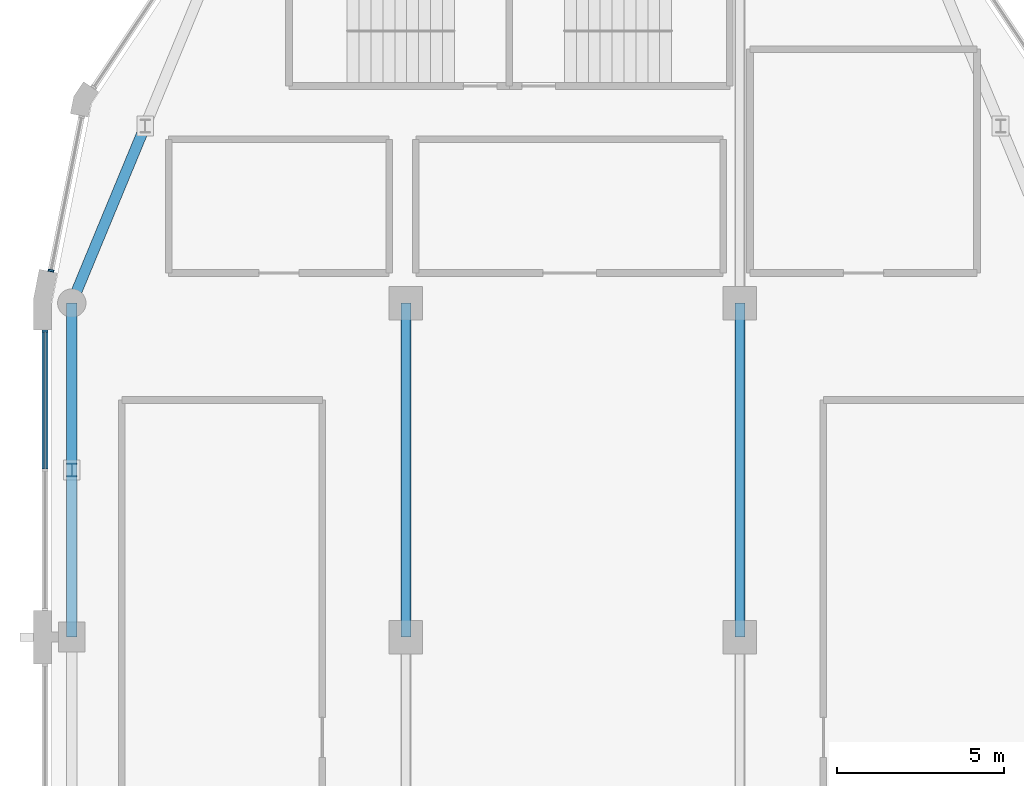
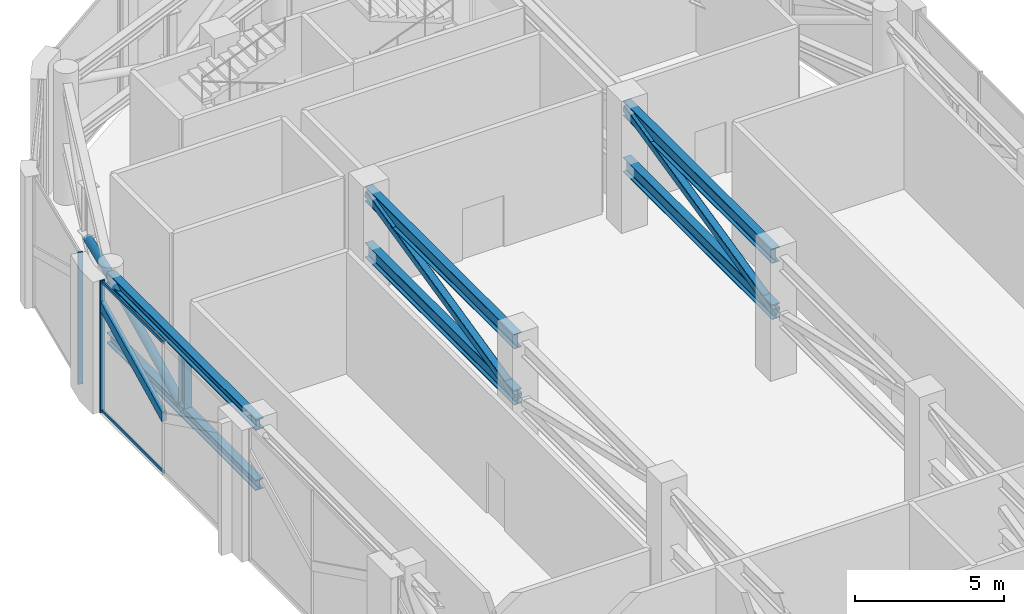
# One storey, part 8 of 18: 16 members, 2 elements without a shape of their own.
"""IFC4 building model written with IfcOpenShell, lengths in metres."""

from ifc_helpers import new_model, si_unit, direction, frame, origin, origin_2d, place, context, subcontext, project, spatial, polyline, rectangle, hollow_rectangle, hollow_circle, i_section, outline, extrude, material, layer, layer_set, material_profile, profile_set, type_object, element, aggregate, save


model = new_model("IFC4")

# Units and contexts
model_context = context("Model", 3, precision=1e-05, world=origin(), true_north=direction((0.0, 1.0)))
body_context = subcontext(model_context, "Body", "Model", "MODEL_VIEW")
ifc_project = project(units=[si_unit("LENGTHUNIT", "METRE"), si_unit("AREAUNIT", "SQUARE_METRE"), si_unit("VOLUMEUNIT", "CUBIC_METRE"), si_unit("PLANEANGLEUNIT", "RADIAN"), si_unit("MASSUNIT", "GRAM", prefix="KILO")], contexts=[model_context])

# Site, building, storey
site_placement = place(None, origin())
site = spatial("IfcSite", under=ifc_project, at=site_placement, CompositionType="ELEMENT")
building_placement = place(site_placement, origin())
building = spatial("IfcBuilding", under=site, at=building_placement, Name="Qaws Garden Tower", CompositionType="ELEMENT")
storey_placement = place(building_placement, frame((0.0, 0.0, 352.800048828125)))
storey = spatial("IfcBuildingStorey", under=building, at=storey_placement, Name="L86", CompositionType="ELEMENT", Elevation=352.800048828125)

# Members
ifc_material_1 = material(Name="Steel S355", Category="steel")
ifc_material_profile_1 = material_profile(ifc_material_1, i_section(OverallWidth=0.306884765625, OverallDepth=0.431884765625, WebThickness=0.02099609375, FlangeThickness=0.0400390625, FilletRadius=0.027099609375, at=origin_2d()), Name="HEM 400")
ifc_profile_set_1 = profile_set([ifc_material_profile_1], Name="Steel S355")
member_type_1 = type_object("IfcMemberType", Name="Belt chord HEM 400", PredefinedType="CHORD", material=ifc_profile_set_1)
for number, where, z_axis, x_axis, name in (
    (1, (0.0, 60.0, 4.783935546875), (0.0, -1.0, 0.0), (1.0, 0.0, 0.0), "Belt truss top chord 14"),
    (2, (0.0, 60.0, 2.31591796875), (0.0, -1.0, 0.0), (1.0, 0.0, 0.0), "Belt truss bottom chord 14"),
):
    element("IfcMember", number, at=place(storey_placement, frame(where, z_axis=z_axis, x_axis=x_axis)), inside=storey, type_object=member_type_1, Name=name, PredefinedType="CHORD", context=body_context, shape_type="SweptSolid", body=[
        extrude(i_section(OverallWidth=0.306884765625, OverallDepth=0.431884765625, WebThickness=0.02099609375, FlangeThickness=0.0400390625, FilletRadius=0.027099609375, at=origin_2d()), origin(), (0.0, 0.0, 1.0), 10.0),
    ])
ifc_material_2 = material(Name="Steel S355", Category="steel")
ifc_material_profile_2 = material_profile(ifc_material_2, hollow_circle(Radius=0.161865234375, WallThickness=0.01611328125, at=origin_2d()), Name="CHS 323.9x16")
ifc_profile_set_2 = profile_set([ifc_material_profile_2], Name="Steel S355")
member_type_2 = type_object("IfcMemberType", Name="Belt diagonal CHS 323.9x16", PredefinedType="BRACE", material=ifc_profile_set_2)
member_1_placement = place(storey_placement, frame((2.19677734375, 65.30322265625, 2.31591796875), z_axis=(-0.351580639119, -0.848748015441, 0.394990962531), x_axis=(0.923872720536, -0.382699877515, 0.0)))
element("IfcMember", 3, at=member_1_placement, inside=storey, type_object=member_type_2, Name="Belt truss diagonal 13b", PredefinedType="BRACE", context=body_context, shape_type="SweptSolid", body=[
    extrude(hollow_circle(Radius=0.161865234375, WallThickness=0.01611328125, at=origin_2d()), origin(), (0.0, 0.0, 1.0), 6.248291015625),
])
member_2_placement = place(storey_placement, frame((0.0, 60.0, 4.783935546875), z_axis=(0.0, -0.896709736444, -0.442619078404), x_axis=(1.0, 0.0, 0.0)))
element("IfcMember", 4, at=member_2_placement, inside=storey, type_object=member_type_2, Name="Belt truss diagonal 14a", PredefinedType="BRACE", context=body_context, shape_type="SweptSolid", body=[
    extrude(hollow_circle(Radius=0.161865234375, WallThickness=0.01611328125, at=origin_2d()), origin(), (0.0, 0.0, 1.0), 5.575927734375),
])
ifc_material_3 = material(Name="Steel S355", Category="steel")
ifc_material_profile_3 = material_profile(ifc_material_3, i_section(OverallWidth=0.300048828125, OverallDepth=0.39990234375, WebThickness=0.013427734375, FlangeThickness=0.02392578125, FilletRadius=0.027099609375, at=origin_2d()), Name="HEB 400")
ifc_profile_set_3 = profile_set([ifc_material_profile_3], Name="Steel S355")
member_type_3 = type_object("IfcMemberType", Name="Belt post HEB 400", PredefinedType="POST", material=ifc_profile_set_3)
member_3_placement = place(storey_placement, frame((0.0, 55.0, 2.531982421875), z_axis=(0.0, 0.0, 1.0), x_axis=(1.0, 0.0, 0.0)))
element("IfcMember", 5, at=member_3_placement, inside=storey, type_object=member_type_3, Name="Belt truss post 14", PredefinedType="POST", context=body_context, shape_type="SweptSolid", body=[
    extrude(i_section(OverallWidth=0.300048828125, OverallDepth=0.39990234375, WebThickness=0.013427734375, FlangeThickness=0.02392578125, FilletRadius=0.027099609375, at=origin_2d()), origin(), (0.0, 0.0, 1.0), 2.035888671875),
])

# Curtain wall, member
ifc_material_4 = material(Name="Anodised aluminium curtain wall frame", Category="aluminium")
ifc_layer = layer(ifc_material_4, 0.159912109375)
ifc_layer_set = layer_set([ifc_layer], Name="Anodised aluminium curtain wall frame")
curtain_wall_type = type_object("IfcCurtainWallType", Name="CW6 plant floor louvre glazing curtain wall", PredefinedType="NOTDEFINED", material=ifc_layer_set)
placement = place(storey_placement, origin())
curtain_wall_1 = element("IfcCurtainWall", 6, at=placement, inside=storey, type_object=curtain_wall_type, Name="CW6 Plant floor louvre glazing 17", PredefinedType="NOTDEFINED")
ifc_material_5 = material(Name="Anodised aluminium curtain wall frame", Category="aluminium")
ifc_material_profile_4 = material_profile(ifc_material_5, rectangle(XDim=0.179931640625, YDim=0.360107421875, at=origin_2d()), Name="AL 180x360")
ifc_profile_set_4 = profile_set([ifc_material_profile_4], Name="Anodised aluminium curtain wall frame")
member_type_4 = type_object("IfcMemberType", Name="CW6 inclined transom 360 x 180", PredefinedType="USERDEFINED", material=ifc_profile_set_4)
member_4_placement = place(storey_placement, frame((-0.800048828125, 59.199951171875, 0.119873046875), z_axis=(0.0, 0.0, 1.0), x_axis=(0.0, -1.0, 0.0)))
member_4 = element("IfcMember", 7, at=member_4_placement, type_object=member_type_4, Name="CW6 inclined transom 1.1", ObjectType="TRANSOM", PredefinedType="USERDEFINED", context=body_context, shape_type="SweptSolid", body=[
    extrude(outline(polyline([(0.06005859375, 4.038818359375), (4.169921875, 2.01025390625), (4.169921875, 2.41162109375), (0.06005859375, 4.440185546875), (0.06005859375, 4.038818359375)])), frame((0.0, 0.08984375, 0.0), z_axis=(0.0, -1.0, 0.0), x_axis=(1.0, 0.0, 0.0)), (0.0, 0.0, 1.0), 0.179931640625),
])

curtain_wall_2 = element("IfcCurtainWall", 8, at=placement, inside=storey, type_object=curtain_wall_type, Name="CW6 Plant floor louvre glazing 16", PredefinedType="NOTDEFINED")
ifc_material_6 = material(Name="Anodised aluminium curtain wall frame", Category="aluminium")
ifc_material_profile_5 = material_profile(ifc_material_6, rectangle(XDim=0.179931640625, YDim=0.06005859375, at=origin_2d()), Name="AL 60x180")
ifc_profile_set_5 = profile_set([ifc_material_profile_5], Name="Anodised aluminium curtain wall frame")
member_type_5 = type_object("IfcMemberType", Name="CW6 mullion 60 x 180", PredefinedType="MULLION", material=ifc_profile_set_5)
member_5_placement = place(storey_placement, frame((-0.622802734375, 60.97021484375, 0.0), z_axis=(0.0, 0.0, 1.0), x_axis=(0.980785280407, -0.195090321999, 0.0)))
member_5 = element("IfcMember", 9, at=member_5_placement, type_object=member_type_5, Name="CW6 mullion 2", PredefinedType="MULLION", context=body_context, shape_type="SweptSolid", body=[
    extrude(rectangle(XDim=0.179931640625, YDim=0.06005859375, at=origin_2d()), origin(), (0.0, 0.0, 1.0), 5.39990234375),
])
aggregate(curtain_wall_2, [member_5])

# Member
member_6_placement = place(storey_placement, frame((-0.800048828125, 59.169921875, 0.0), z_axis=(0.0, 0.0, 1.0), x_axis=(1.0, 0.0, 0.0)))
member_6 = element("IfcMember", 10, at=member_6_placement, type_object=member_type_5, Name="CW6 mullion 1", PredefinedType="MULLION", context=body_context, shape_type="SweptSolid", body=[
    extrude(rectangle(XDim=0.179931640625, YDim=0.06005859375, at=origin_2d()), origin(), (0.0, 0.0, 1.0), 5.39990234375),
])

ifc_material_7 = material(Name="Anodised aluminium curtain wall frame", Category="aluminium")
ifc_material_profile_6 = material_profile(ifc_material_7, rectangle(XDim=0.06005859375, YDim=0.1201171875, at=origin_2d()), Name="AL 60x120")
ifc_profile_set_6 = profile_set([ifc_material_profile_6], Name="Anodised aluminium curtain wall frame")
member_type_6 = type_object("IfcMemberType", Name="CW6 transom 120 x 60", PredefinedType="USERDEFINED", material=ifc_profile_set_6)
member_7_placement = place(storey_placement, frame((-0.800048828125, 59.139892578125, 0.06005859375), z_axis=(0.0, -1.0, 0.0), x_axis=(1.0, 0.0, 0.0)))
member_7 = element("IfcMember", 11, at=member_7_placement, type_object=member_type_6, Name="CW6 transom 1.1", ObjectType="TRANSOM", PredefinedType="USERDEFINED", context=body_context, shape_type="SweptSolid", body=[
    extrude(rectangle(XDim=0.06005859375, YDim=0.1201171875, at=origin_2d()), origin(), (0.0, 0.0, 1.0), 4.10986328125),
])

member_8_placement = place(storey_placement, frame((-0.800048828125, 59.139892578125, 5.33984375), z_axis=(0.0, -1.0, 0.0), x_axis=(1.0, 0.0, 0.0)))
member_8 = element("IfcMember", 12, at=member_8_placement, type_object=member_type_6, Name="CW6 transom 1.2", ObjectType="TRANSOM", PredefinedType="USERDEFINED", context=body_context, shape_type="SweptSolid", body=[
    extrude(rectangle(XDim=0.06005859375, YDim=0.1201171875, at=origin_2d()), origin(), (0.0, 0.0, 1.0), 4.10986328125),
])

aggregate(curtain_wall_1, [member_6, member_7, member_8, member_4])

# Members
ifc_material_8 = material(Name="Steel S355", Category="steel")
ifc_material_profile_7 = material_profile(ifc_material_8, i_section(OverallWidth=0.300048828125, OverallDepth=0.60009765625, WebThickness=0.015380859375, FlangeThickness=0.030029296875, FilletRadius=0.027099609375, at=origin_2d()), Name="HEB 600")
ifc_profile_set_7 = profile_set([ifc_material_profile_7], Name="Steel S355")
member_type_7 = type_object("IfcMemberType", Name="Outrigger chord HEB 600", PredefinedType="CHORD", material=ifc_profile_set_7)
for number, where, z_axis, x_axis, name in (
    (13, (10.0, 50.0, 4.699951171875), (0.0, 1.0, 0.0), (-1.0, 0.0, 0.0), "Outrigger 3 top chord 4"),
    (14, (10.0, 50.0, 2.39990234375), (0.0, 1.0, 0.0), (-1.0, 0.0, 0.0), "Outrigger 3 bottom chord 4"),
    (15, (20.0, 50.0, 4.699951171875), (0.0, 1.0, 0.0), (-1.0, 0.0, 0.0), "Outrigger 4 top chord 4"),
    (16, (20.0, 50.0, 2.39990234375), (0.0, 1.0, 0.0), (-1.0, 0.0, 0.0), "Outrigger 4 bottom chord 4"),
):
    element("IfcMember", number, at=place(storey_placement, frame(where, z_axis=z_axis, x_axis=x_axis)), inside=storey, type_object=member_type_7, Name=name, PredefinedType="CHORD", context=body_context, shape_type="SweptSolid", body=[
        extrude(i_section(OverallWidth=0.300048828125, OverallDepth=0.60009765625, WebThickness=0.015380859375, FlangeThickness=0.030029296875, FilletRadius=0.027099609375, at=origin_2d()), origin(), (0.0, 0.0, 1.0), 10.0),
    ])
ifc_material_9 = material(Name="Steel S355", Category="steel")
ifc_material_profile_8 = material_profile(ifc_material_9, hollow_rectangle(XDim=0.300048828125, YDim=0.300048828125, WallThickness=0.01611328125, InnerFilletRadius=0.02392578125, OuterFilletRadius=0.0400390625, at=origin_2d()), Name="SHS 300x300x16")
ifc_profile_set_8 = profile_set([ifc_material_profile_8], Name="Steel S355")
member_type_8 = type_object("IfcMemberType", Name="Outrigger diagonal SHS 300x300x16", PredefinedType="BRACE", material=ifc_profile_set_8)
for number, where, z_axis, x_axis, name in (
    (17, (10.0, 50.0, 2.39990234375), (0.0, 0.974554147123, 0.224152212403), (-1.0, 0.0, 0.0), "Outrigger 3 diagonal 4"),
    (18, (20.0, 50.0, 2.39990234375), (0.0, 0.974554147123, 0.224152212403), (-1.0, 0.0, 0.0), "Outrigger 4 diagonal 4"),
):
    element("IfcMember", number, at=place(storey_placement, frame(where, z_axis=z_axis, x_axis=x_axis)), inside=storey, type_object=member_type_8, Name=name, PredefinedType="BRACE", context=body_context, shape_type="SweptSolid", body=[
        extrude(hollow_rectangle(XDim=0.300048828125, YDim=0.300048828125, WallThickness=0.01611328125, InnerFilletRadius=0.02392578125, OuterFilletRadius=0.0400390625, at=origin_2d()), origin(), (0.0, 0.0, 1.0), 10.260986328125),
    ])

save(model, "model.ifc")
